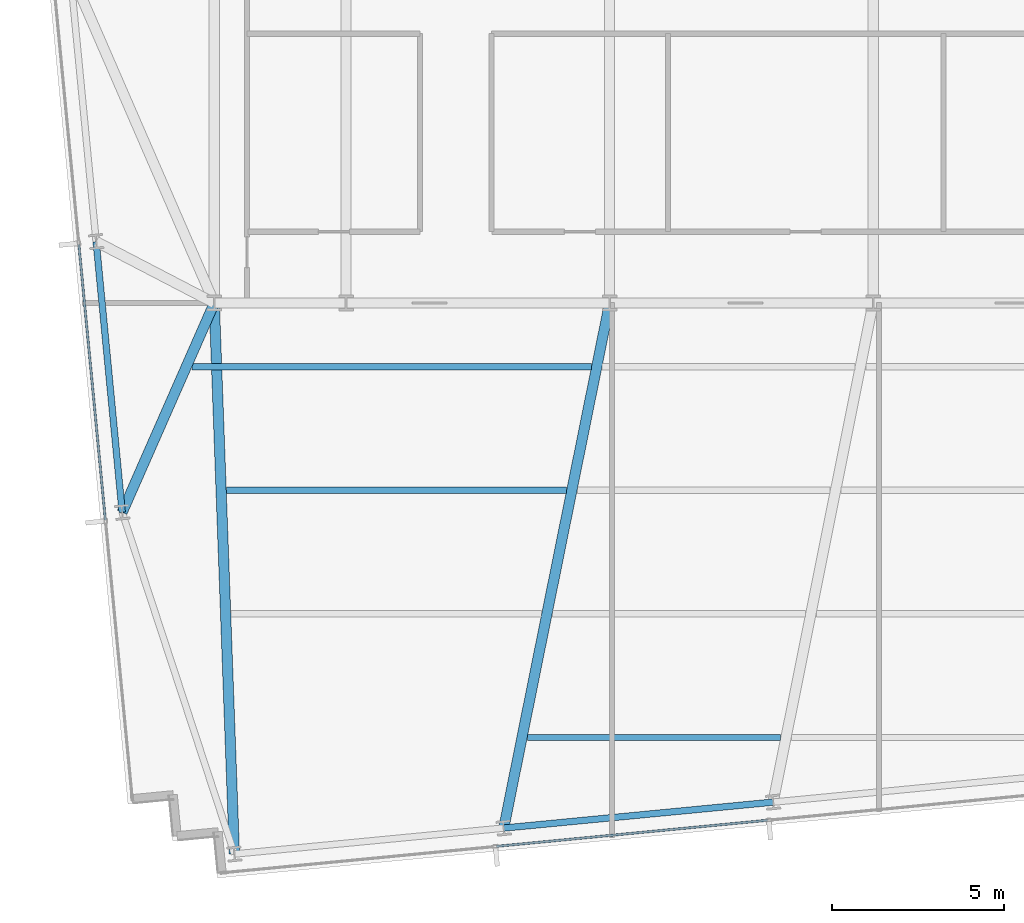
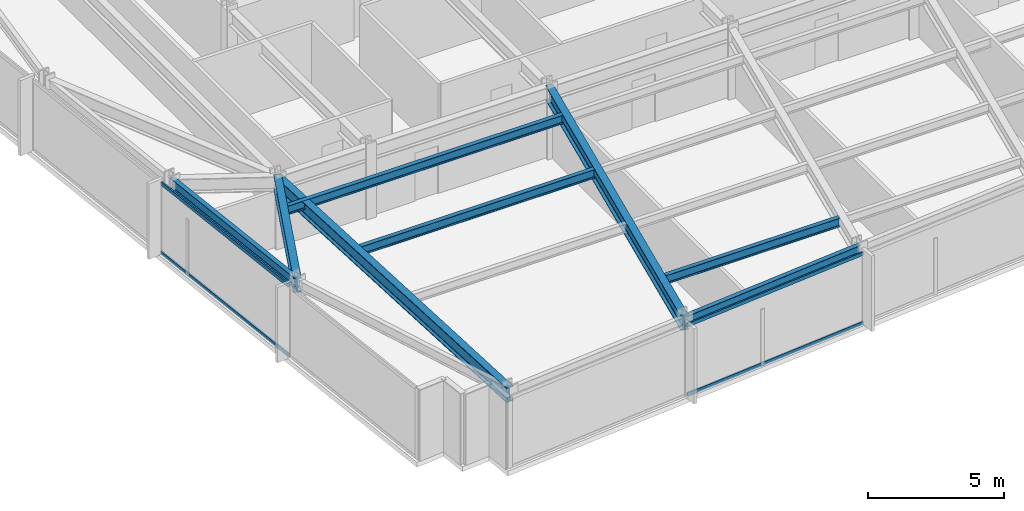
# One storey, part 3 of 32: 8 beams, 4 members, 2 elements without a shape of their own.
"""IFC4 building model written with IfcOpenShell, lengths in metres."""

from ifc_helpers import new_model, si_unit, direction, frame, origin, origin_2d, place, context, subcontext, project, spatial, hollow_rectangle, i_section, extrude, material, material_profile, profile_set, type_object, element, aggregate, save


model = new_model("IFC4")

# Units and contexts
model_context = context("Model", 3, precision=1e-05, world=origin(), true_north=direction((0.0, 1.0)))
body_context = subcontext(model_context, "Body", "Model", "MODEL_VIEW")
ifc_project = project(units=[si_unit("LENGTHUNIT", "METRE"), si_unit("AREAUNIT", "SQUARE_METRE"), si_unit("VOLUMEUNIT", "CUBIC_METRE"), si_unit("PLANEANGLEUNIT", "RADIAN"), si_unit("MASSUNIT", "GRAM", prefix="KILO")], contexts=[model_context])

# Site, building, storey
site_placement = place(None, origin())
site = spatial("IfcSite", under=ifc_project, at=site_placement, CompositionType="ELEMENT")
building_placement = place(site_placement, origin())
building = spatial("IfcBuilding", under=site, at=building_placement, Name="Yelkora Congress Tower", CompositionType="ELEMENT")
storey_placement = place(building_placement, frame((0.0, 0.0, 93.10009765625)))
storey = spatial("IfcBuildingStorey", under=building, at=storey_placement, Name="L24", CompositionType="ELEMENT", Elevation=93.10009765625)

# Beams
ifc_material_1 = material(Name="Steel S355J2", Category="steel")
ifc_material_profile_1 = material_profile(ifc_material_1, i_section(OverallWidth=0.300048828125, OverallDepth=0.64990234375, WebThickness=0.01611328125, FlangeThickness=0.031005859375, FilletRadius=0.027099609375, at=origin_2d()), Name="HEB 650")
ifc_profile_set_1 = profile_set([ifc_material_profile_1], Name="Steel S355J2")
beam_type_1 = type_object("IfcBeamType", Name="BM-GIRD-HEB650", PredefinedType="BEAM", material=ifc_profile_set_1)
beam_1_placement = place(storey_placement, frame((19.785888671875, 9.144287109375, 2.85498046875), z_axis=(-0.03646985294, 0.999334753637, 0.0), x_axis=(-0.999334753637, -0.03646985294, 0.0)))
element("IfcBeam", 1, at=beam_1_placement, inside=storey, type_object=beam_type_1, Name="L24 Primary Frame Girder S01", PredefinedType="BEAM", context=body_context, shape_type="SweptSolid", body=[
    extrude(i_section(OverallWidth=0.300048828125, OverallDepth=0.64990234375, WebThickness=0.01611328125, FlangeThickness=0.031005859375, FilletRadius=0.027099609375, at=origin_2d()), origin(), (0.0, 0.0, 1.0), 16.06640625),
])
beam_2_placement = place(storey_placement, frame((27.635498046875, 9.900146484375, 2.85498046875), z_axis=(0.197625995154, 0.980277494406, 0.0), x_axis=(-0.980277494406, 0.197625995154, 0.0)))
element("IfcBeam", 2, at=beam_2_placement, inside=storey, type_object=beam_type_1, Name="L24 Primary Frame Girder S02", PredefinedType="BEAM", context=body_context, shape_type="SweptSolid", body=[
    extrude(i_section(OverallWidth=0.300048828125, OverallDepth=0.64990234375, WebThickness=0.01611328125, FlangeThickness=0.031005859375, FilletRadius=0.027099609375, at=origin_2d()), origin(), (0.0, 0.0, 1.0), 15.607666015625),
])
beam_3_placement = place(storey_placement, frame((16.5166015625, 19.101806640625, 2.85498046875), z_axis=(0.402759490709, 0.915305846504, 0.0), x_axis=(-0.915305846504, 0.402759490709, 0.0)))
element("IfcBeam", 3, at=beam_3_placement, inside=storey, type_object=beam_type_1, Name="L24 Primary Frame Girder W01", PredefinedType="BEAM", context=body_context, shape_type="SweptSolid", body=[
    extrude(i_section(OverallWidth=0.300048828125, OverallDepth=0.64990234375, WebThickness=0.01611328125, FlangeThickness=0.031005859375, FilletRadius=0.027099609375, at=origin_2d()), origin(), (0.0, 0.0, 1.0), 6.662353515625),
])
ifc_material_profile_2 = material_profile(ifc_material_1, i_section(OverallWidth=0.179931640625, OverallDepth=0.39990234375, WebThickness=0.008544921875, FlangeThickness=0.013427734375, FilletRadius=0.02099609375, at=origin_2d()), Name="IPE 400")
ifc_profile_set_2 = profile_set([ifc_material_profile_2], Name="Steel S355J2")
beam_type_2 = type_object("IfcBeamType", Name="BM-JOIST-IPE400", PredefinedType="JOIST", material=ifc_profile_set_2)
beam_4_placement = place(storey_placement, frame((28.32861328125, 12.54443359375, 2.97998046875), z_axis=(1.0, 0.0, 0.0), x_axis=(0.0, 1.0, 0.0)))
element("IfcBeam", 4, at=beam_4_placement, inside=storey, type_object=beam_type_2, Name="L24 Composite Floor Joist 1", PredefinedType="JOIST", context=body_context, shape_type="SweptSolid", body=[
    extrude(i_section(OverallWidth=0.179931640625, OverallDepth=0.39990234375, WebThickness=0.008544921875, FlangeThickness=0.013427734375, FilletRadius=0.02099609375, at=origin_2d()), origin(), (0.0, 0.0, 1.0), 7.374755859375),
])
beam_5_placement = place(storey_placement, frame((19.55908203125, 19.744384765625, 2.97998046875), z_axis=(1.0, 0.0, 0.0), x_axis=(0.0, 1.0, 0.0)))
element("IfcBeam", 5, at=beam_5_placement, inside=storey, type_object=beam_type_2, Name="L24 Composite Floor Joist 11", PredefinedType="JOIST", context=body_context, shape_type="SweptSolid", body=[
    extrude(i_section(OverallWidth=0.179931640625, OverallDepth=0.39990234375, WebThickness=0.008544921875, FlangeThickness=0.013427734375, FilletRadius=0.02099609375, at=origin_2d()), origin(), (0.0, 0.0, 1.0), 9.901123046875),
])
beam_6_placement = place(storey_placement, frame((18.54345703125, 23.344482421875, 2.97998046875), z_axis=(1.0, 0.0, 0.0), x_axis=(0.0, 1.0, 0.0)))
element("IfcBeam", 6, at=beam_6_placement, inside=storey, type_object=beam_type_2, Name="L24 Composite Floor Joist 18", PredefinedType="JOIST", context=body_context, shape_type="SweptSolid", body=[
    extrude(i_section(OverallWidth=0.179931640625, OverallDepth=0.39990234375, WebThickness=0.008544921875, FlangeThickness=0.013427734375, FilletRadius=0.02099609375, at=origin_2d()), origin(), (0.0, 0.0, 1.0), 11.642333984375),
])
ifc_material_profile_3 = material_profile(ifc_material_1, i_section(OverallWidth=0.18994140625, OverallDepth=0.449951171875, WebThickness=0.009521484375, FlangeThickness=0.0146484375, FilletRadius=0.02099609375, at=origin_2d()), Name="IPE 450")
ifc_profile_set_3 = profile_set([ifc_material_profile_3], Name="Steel S355J2")
beam_type_3 = type_object("IfcBeamType", Name="BM-SPAN-IPE450", PredefinedType="SPANDREL", material=ifc_profile_set_3)
beam_7_placement = place(storey_placement, frame((15.757080078125, 26.990478515625, 2.954833984375), z_axis=(0.09583684824, -0.995397055712, 0.0), x_axis=(0.995397055712, 0.09583684824, 0.0)))
element("IfcBeam", 7, at=beam_7_placement, inside=storey, type_object=beam_type_3, Name="L24 Perimeter Beam 1", PredefinedType="SPANDREL", context=body_context, shape_type="SweptSolid", body=[
    extrude(i_section(OverallWidth=0.18994140625, OverallDepth=0.449951171875, WebThickness=0.009521484375, FlangeThickness=0.0146484375, FilletRadius=0.02099609375, at=origin_2d()), origin(), (0.0, 0.0, 1.0), 7.925048828125),
])
beam_8_placement = place(storey_placement, frame((27.635498046875, 9.900146484375, 2.954833984375), z_axis=(0.995395575667, 0.095852219286, 0.0), x_axis=(-0.095852219286, 0.995395575667, 0.0)))
element("IfcBeam", 8, at=beam_8_placement, inside=storey, type_object=beam_type_3, Name="L24 Perimeter Beam 4", PredefinedType="SPANDREL", context=body_context, shape_type="SweptSolid", body=[
    extrude(i_section(OverallWidth=0.18994140625, OverallDepth=0.449951171875, WebThickness=0.009521484375, FlangeThickness=0.0146484375, FilletRadius=0.02099609375, at=origin_2d()), origin(), (0.0, 0.0, 1.0), 7.8857421875),
])

# Curtain wall, members
ifc_material_2 = material(Name="Anodised aluminium and insulated glass", Category="aluminium")
curtain_wall_type = type_object("IfcCurtainWallType", Name="CW-SYS-B2", PredefinedType="NOTDEFINED", material=ifc_material_2)
curtain_wall_1_placement = place(storey_placement, origin())
curtain_wall_1 = element("IfcCurtainWall", 9, at=curtain_wall_1_placement, inside=storey, type_object=curtain_wall_type, Name="L24 Unitised Curtain Wall 5", PredefinedType="NOTDEFINED")
ifc_material_3 = material(Name="Anodised aluminium 6063-T6", Category="aluminium")
ifc_material_profile_4 = material_profile(ifc_material_3, hollow_rectangle(XDim=0.06494140625, YDim=0.159912109375, WallThickness=0.00390625, at=origin_2d()), Name="ALU 65x160x4")
ifc_profile_set_4 = profile_set([ifc_material_profile_4], Name="Anodised aluminium 6063-T6")
member_type = type_object("IfcMemberType", Name="MEM-TR-B2", PredefinedType="USERDEFINED", material=ifc_profile_set_4)
member_1_placement = place(storey_placement, frame((16.025146484375, 18.8837890625, 0.032470703125), z_axis=(-0.095838228465, 0.995396922823, 0.0), x_axis=(-0.995396922823, -0.095838228465, 0.0)))
member_1 = element("IfcMember", 10, at=member_1_placement, type_object=member_type, Name="CW-B2 transom 2.1", ObjectType="TRANSOM", PredefinedType="USERDEFINED", context=body_context, shape_type="SweptSolid", body=[
    extrude(hollow_rectangle(XDim=0.06494140625, YDim=0.159912109375, WallThickness=0.00390625, at=origin_2d()), origin(), (0.0, 0.0, 1.0), 8.06005859375),
])
member_2_placement = place(storey_placement, frame((16.025146484375, 18.8837890625, 3.1474609375), z_axis=(-0.095838228465, 0.995396922823, 0.0), x_axis=(-0.995396922823, -0.095838228465, 0.0)))
member_2 = element("IfcMember", 11, at=member_2_placement, type_object=member_type, Name="CW-B2 transom 2.2", ObjectType="TRANSOM", PredefinedType="USERDEFINED", context=body_context, shape_type="SweptSolid", body=[
    extrude(hollow_rectangle(XDim=0.06494140625, YDim=0.159912109375, WallThickness=0.00390625, at=origin_2d()), origin(), (0.0, 0.0, 1.0), 8.06005859375),
])
aggregate(curtain_wall_1, [member_1, member_2])

curtain_wall_2_placement = place(storey_placement, origin())
curtain_wall_2 = element("IfcCurtainWall", 12, at=curtain_wall_2_placement, inside=storey, type_object=curtain_wall_type, Name="L24 Unitised Curtain Wall 20", PredefinedType="NOTDEFINED")
member_3_placement = place(storey_placement, frame((35.323974609375, 10.128173828125, 0.032470703125), z_axis=(-0.995397293396, -0.095834379534, 0.0), x_axis=(0.095834379534, -0.995397293396, 0.0)))
member_3 = element("IfcMember", 13, at=member_3_placement, type_object=member_type, Name="CW-B2 transom 6.1", ObjectType="TRANSOM", PredefinedType="USERDEFINED", context=body_context, shape_type="SweptSolid", body=[
    extrude(hollow_rectangle(XDim=0.06494140625, YDim=0.159912109375, WallThickness=0.00390625, at=origin_2d()), origin(), (0.0, 0.0, 1.0), 7.93310546875),
])
member_4_placement = place(storey_placement, frame((35.323974609375, 10.128173828125, 3.1474609375), z_axis=(-0.995397293396, -0.095834379534, 0.0), x_axis=(0.095834379534, -0.995397293396, 0.0)))
member_4 = element("IfcMember", 14, at=member_4_placement, type_object=member_type, Name="CW-B2 transom 6.2", ObjectType="TRANSOM", PredefinedType="USERDEFINED", context=body_context, shape_type="SweptSolid", body=[
    extrude(hollow_rectangle(XDim=0.06494140625, YDim=0.159912109375, WallThickness=0.00390625, at=origin_2d()), origin(), (0.0, 0.0, 1.0), 7.93310546875),
])
aggregate(curtain_wall_2, [member_3, member_4])

save(model, "model.ifc")
